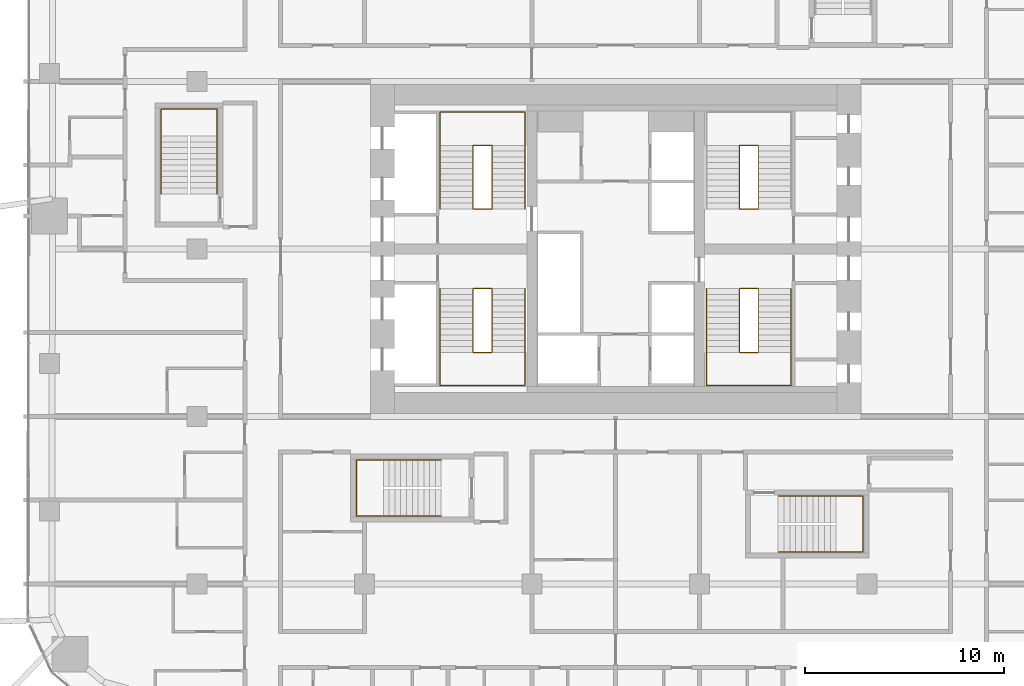
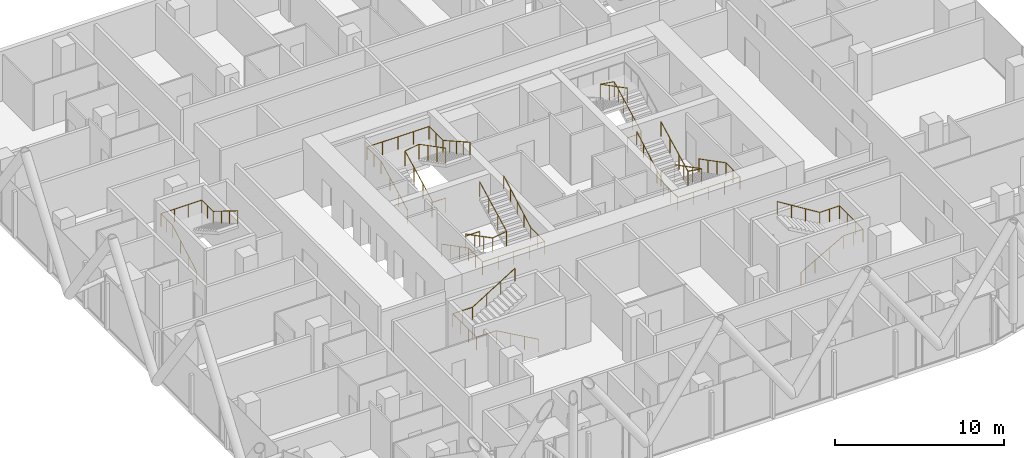
# One storey, part 37 of 38: 10 railings.
"""IFC4 building model written with IfcOpenShell, lengths in metres."""

from ifc_helpers import new_model, si_unit, direction, frame, origin, origin_2d, place, context, subcontext, project, spatial, circle, extrude, material, type_object, element, save


model = new_model("IFC4")

# Units and contexts
model_context = context("Model", 3, precision=1e-05, world=origin(), true_north=direction((0.0, 1.0)))
body_context = subcontext(model_context, "Body", "Model", "MODEL_VIEW")
ifc_project = project(units=[si_unit("LENGTHUNIT", "METRE"), si_unit("AREAUNIT", "SQUARE_METRE"), si_unit("VOLUMEUNIT", "CUBIC_METRE"), si_unit("PLANEANGLEUNIT", "RADIAN"), si_unit("MASSUNIT", "GRAM", prefix="KILO")], contexts=[model_context])

# Site, building, storey
site_placement = place(None, origin())
site = spatial("IfcSite", under=ifc_project, at=site_placement, CompositionType="ELEMENT")
building_placement = place(site_placement, origin())
building = spatial("IfcBuilding", under=site, at=building_placement, Name="Marenta Gate Hotel Tower", CompositionType="ELEMENT")
storey_placement = place(building_placement, frame((0.0, 0.0, 40.10009765625)))
storey = spatial("IfcBuildingStorey", under=building, at=storey_placement, Name="L07", CompositionType="ELEMENT", Elevation=40.10009765625)

# Railings
ifc_material_1 = material(Name="Stainless steel", Category="steel")
railing_type_1 = type_object("IfcRailingType", Name="Core stair handrail 950", PredefinedType="HANDRAIL", material=ifc_material_1)
railing_1_placement = place(storey_placement, frame((-8.800048828125, 6.39990234375, 0.14990234375)))
element("IfcRailing", 1, at=railing_1_placement, inside=storey, type_object=railing_type_1, Name="HR-950 L07-KR-ST1-1", PredefinedType="HANDRAIL", context=body_context, shape_type="SweptSolid", body=[
    extrude(circle(Radius=0.02392578125, at=origin_2d()), frame((0.0, 0.0, 0.92578125), z_axis=(0.0, -0.888225295554, 0.459408123936), x_axis=(1.0, 0.0, 0.0)), (0.0, 0.0, 1.0), 3.59130859375),
    extrude(circle(Radius=0.02392578125, at=origin_2d()), frame((0.0, -3.18994140625, 2.57568359375), z_axis=(0.0, -1.0, 0.0), x_axis=(1.0, 0.0, 0.0)), (0.0, 0.0, 1.0), 1.659912109375),
    extrude(circle(Radius=0.02392578125, at=origin_2d()), frame((0.0, -4.849853515625, 2.57568359375), z_axis=(1.0, 0.0, 0.0), x_axis=(0.0, 1.0, 0.0)), (0.0, 0.0, 1.0), 4.25),
    extrude(circle(Radius=0.02392578125, at=origin_2d()), frame((4.25, -4.849853515625, 2.57568359375), z_axis=(0.0, 1.0, 0.0), x_axis=(-1.0, 0.0, 0.0)), (0.0, 0.0, 1.0), 1.659912109375),
    extrude(circle(Radius=0.02392578125, at=origin_2d()), frame((4.25, -3.18994140625, 2.57568359375), z_axis=(0.0, 0.87090897868, 0.491444351738), x_axis=(-1.0, 0.0, 0.0)), (0.0, 0.0, 1.0), 3.662841796875),
    extrude(circle(Radius=0.02099609375, at=origin_2d()), origin(), (0.0, 0.0, 1.0), 0.90185546875),
    extrude(circle(Radius=0.02099609375, at=origin_2d()), frame((0.0, -1.063232421875, 0.550048828125)), (0.0, 0.0, 1.0), 0.90185546875),
    extrude(circle(Radius=0.02099609375, at=origin_2d()), frame((0.0, -2.126708984375, 1.099853515625)), (0.0, 0.0, 1.0), 0.90185546875),
    extrude(circle(Radius=0.02099609375, at=origin_2d()), frame((0.0, -3.18994140625, 1.64990234375)), (0.0, 0.0, 1.0), 0.90185546875),
    extrude(circle(Radius=0.02099609375, at=origin_2d()), frame((0.0, -4.02001953125, 1.64990234375)), (0.0, 0.0, 1.0), 0.90185546875),
    extrude(circle(Radius=0.02099609375, at=origin_2d()), frame((0.0, -4.849853515625, 1.64990234375)), (0.0, 0.0, 1.0), 0.90185546875),
    extrude(circle(Radius=0.02099609375, at=origin_2d()), frame((1.0625, -4.849853515625, 1.64990234375)), (0.0, 0.0, 1.0), 0.90185546875),
    extrude(circle(Radius=0.02099609375, at=origin_2d()), frame((2.125, -4.849853515625, 1.64990234375)), (0.0, 0.0, 1.0), 0.90185546875),
    extrude(circle(Radius=0.02099609375, at=origin_2d()), frame((3.1875, -4.849853515625, 1.64990234375)), (0.0, 0.0, 1.0), 0.90185546875),
    extrude(circle(Radius=0.02099609375, at=origin_2d()), frame((4.25, -4.849853515625, 1.64990234375)), (0.0, 0.0, 1.0), 0.90185546875),
    extrude(circle(Radius=0.02099609375, at=origin_2d()), frame((4.25, -4.02001953125, 1.64990234375)), (0.0, 0.0, 1.0), 0.90185546875),
    extrude(circle(Radius=0.02099609375, at=origin_2d()), frame((4.25, -3.18994140625, 1.64990234375)), (0.0, 0.0, 1.0), 0.90185546875),
    extrude(circle(Radius=0.02099609375, at=origin_2d()), frame((4.25, -2.392578125, 2.099853515625)), (0.0, 0.0, 1.0), 0.90185546875),
    extrude(circle(Radius=0.02099609375, at=origin_2d()), frame((4.25, -1.594970703125, 2.5498046875)), (0.0, 0.0, 1.0), 0.90185546875),
    extrude(circle(Radius=0.02099609375, at=origin_2d()), frame((4.25, -0.79736328125, 3.0)), (0.0, 0.0, 1.0), 0.90185546875),
    extrude(circle(Radius=0.02099609375, at=origin_2d()), frame((4.25, 0.0, 3.449951171875)), (0.0, 0.0, 1.0), 0.90185546875),
])
railing_2_placement = place(storey_placement, frame((-8.800048828125, 10.39990234375, 0.14990234375)))
element("IfcRailing", 2, at=railing_2_placement, inside=storey, type_object=railing_type_1, Name="HR-950 L07-KR-ST2-1", PredefinedType="HANDRAIL", context=body_context, shape_type="SweptSolid", body=[
    extrude(circle(Radius=0.02392578125, at=origin_2d()), frame((0.0, 0.0, 0.92578125), z_axis=(0.0, 0.888239641807, 0.459380385653), x_axis=(-1.0, 0.0, 0.0)), (0.0, 0.0, 1.0), 3.591552734375),
    extrude(circle(Radius=0.02392578125, at=origin_2d()), frame((0.0, 3.190185546875, 2.57568359375), z_axis=(0.0, 1.0, 0.0), x_axis=(-1.0, 0.0, 0.0)), (0.0, 0.0, 1.0), 1.659912109375),
    extrude(circle(Radius=0.02392578125, at=origin_2d()), frame((0.0, 4.85009765625, 2.57568359375), z_axis=(1.0, 0.0, 0.0), x_axis=(0.0, 1.0, 0.0)), (0.0, 0.0, 1.0), 4.25),
    extrude(circle(Radius=0.02392578125, at=origin_2d()), frame((4.25, 4.85009765625, 2.57568359375), z_axis=(0.0, -1.0, 0.0), x_axis=(1.0, 0.0, 0.0)), (0.0, 0.0, 1.0), 1.659912109375),
    extrude(circle(Radius=0.02392578125, at=origin_2d()), frame((4.25, 3.190185546875, 2.57568359375), z_axis=(0.0, -0.870925075533, 0.491415824742), x_axis=(1.0, 0.0, 0.0)), (0.0, 0.0, 1.0), 3.6630859375),
    extrude(circle(Radius=0.02099609375, at=origin_2d()), origin(), (0.0, 0.0, 1.0), 0.90185546875),
    extrude(circle(Radius=0.02099609375, at=origin_2d()), frame((0.0, 1.0634765625, 0.550048828125)), (0.0, 0.0, 1.0), 0.90185546875),
    extrude(circle(Radius=0.02099609375, at=origin_2d()), frame((0.0, 2.126708984375, 1.099853515625)), (0.0, 0.0, 1.0), 0.90185546875),
    extrude(circle(Radius=0.02099609375, at=origin_2d()), frame((0.0, 3.190185546875, 1.64990234375)), (0.0, 0.0, 1.0), 0.90185546875),
    extrude(circle(Radius=0.02099609375, at=origin_2d()), frame((0.0, 4.02001953125, 1.64990234375)), (0.0, 0.0, 1.0), 0.90185546875),
    extrude(circle(Radius=0.02099609375, at=origin_2d()), frame((0.0, 4.85009765625, 1.64990234375)), (0.0, 0.0, 1.0), 0.90185546875),
    extrude(circle(Radius=0.02099609375, at=origin_2d()), frame((1.0625, 4.85009765625, 1.64990234375)), (0.0, 0.0, 1.0), 0.90185546875),
    extrude(circle(Radius=0.02099609375, at=origin_2d()), frame((2.125, 4.85009765625, 1.64990234375)), (0.0, 0.0, 1.0), 0.90185546875),
    extrude(circle(Radius=0.02099609375, at=origin_2d()), frame((3.1875, 4.85009765625, 1.64990234375)), (0.0, 0.0, 1.0), 0.90185546875),
    extrude(circle(Radius=0.02099609375, at=origin_2d()), frame((4.25, 4.85009765625, 1.64990234375)), (0.0, 0.0, 1.0), 0.90185546875),
    extrude(circle(Radius=0.02099609375, at=origin_2d()), frame((4.25, 4.02001953125, 1.64990234375)), (0.0, 0.0, 1.0), 0.90185546875),
    extrude(circle(Radius=0.02099609375, at=origin_2d()), frame((4.25, 3.190185546875, 1.64990234375)), (0.0, 0.0, 1.0), 0.90185546875),
    extrude(circle(Radius=0.02099609375, at=origin_2d()), frame((4.25, 2.392578125, 2.099853515625)), (0.0, 0.0, 1.0), 0.90185546875),
    extrude(circle(Radius=0.02099609375, at=origin_2d()), frame((4.25, 1.59521484375, 2.5498046875)), (0.0, 0.0, 1.0), 0.90185546875),
    extrude(circle(Radius=0.02099609375, at=origin_2d()), frame((4.25, 0.797607421875, 3.0)), (0.0, 0.0, 1.0), 0.90185546875),
    extrude(circle(Radius=0.02099609375, at=origin_2d()), frame((4.25, 0.0, 3.449951171875)), (0.0, 0.0, 1.0), 0.90185546875),
])
railing_3_placement = place(storey_placement, frame((8.800048828125, 6.39990234375, 0.14990234375)))
element("IfcRailing", 3, at=railing_3_placement, inside=storey, type_object=railing_type_1, Name="HR-950 L07-KR-ST3-1", PredefinedType="HANDRAIL", context=body_context, shape_type="SweptSolid", body=[
    extrude(circle(Radius=0.02392578125, at=origin_2d()), frame((0.0, 0.0, 0.92578125), z_axis=(0.0, -0.888225295554, 0.459408123936), x_axis=(1.0, 0.0, 0.0)), (0.0, 0.0, 1.0), 3.59130859375),
    extrude(circle(Radius=0.02392578125, at=origin_2d()), frame((0.0, -3.18994140625, 2.57568359375), z_axis=(0.0, -1.0, 0.0), x_axis=(1.0, 0.0, 0.0)), (0.0, 0.0, 1.0), 1.659912109375),
    extrude(circle(Radius=0.02392578125, at=origin_2d()), frame((0.0, -4.849853515625, 2.57568359375), z_axis=(-1.0, 0.0, 0.0), x_axis=(0.0, -1.0, 0.0)), (0.0, 0.0, 1.0), 4.25),
    extrude(circle(Radius=0.02392578125, at=origin_2d()), frame((-4.25, -4.849853515625, 2.57568359375), z_axis=(0.0, 1.0, 0.0), x_axis=(-1.0, 0.0, 0.0)), (0.0, 0.0, 1.0), 1.659912109375),
    extrude(circle(Radius=0.02392578125, at=origin_2d()), frame((-4.25, -3.18994140625, 2.57568359375), z_axis=(0.0, 0.87090897868, 0.491444351738), x_axis=(-1.0, 0.0, 0.0)), (0.0, 0.0, 1.0), 3.662841796875),
    extrude(circle(Radius=0.02099609375, at=origin_2d()), origin(), (0.0, 0.0, 1.0), 0.90185546875),
    extrude(circle(Radius=0.02099609375, at=origin_2d()), frame((0.0, -1.063232421875, 0.550048828125)), (0.0, 0.0, 1.0), 0.90185546875),
    extrude(circle(Radius=0.02099609375, at=origin_2d()), frame((0.0, -2.126708984375, 1.099853515625)), (0.0, 0.0, 1.0), 0.90185546875),
    extrude(circle(Radius=0.02099609375, at=origin_2d()), frame((0.0, -3.18994140625, 1.64990234375)), (0.0, 0.0, 1.0), 0.90185546875),
    extrude(circle(Radius=0.02099609375, at=origin_2d()), frame((0.0, -4.02001953125, 1.64990234375)), (0.0, 0.0, 1.0), 0.90185546875),
    extrude(circle(Radius=0.02099609375, at=origin_2d()), frame((0.0, -4.849853515625, 1.64990234375)), (0.0, 0.0, 1.0), 0.90185546875),
    extrude(circle(Radius=0.02099609375, at=origin_2d()), frame((-1.0625, -4.849853515625, 1.64990234375)), (0.0, 0.0, 1.0), 0.90185546875),
    extrude(circle(Radius=0.02099609375, at=origin_2d()), frame((-2.125, -4.849853515625, 1.64990234375)), (0.0, 0.0, 1.0), 0.90185546875),
    extrude(circle(Radius=0.02099609375, at=origin_2d()), frame((-3.1875, -4.849853515625, 1.64990234375)), (0.0, 0.0, 1.0), 0.90185546875),
    extrude(circle(Radius=0.02099609375, at=origin_2d()), frame((-4.25, -4.849853515625, 1.64990234375)), (0.0, 0.0, 1.0), 0.90185546875),
    extrude(circle(Radius=0.02099609375, at=origin_2d()), frame((-4.25, -4.02001953125, 1.64990234375)), (0.0, 0.0, 1.0), 0.90185546875),
    extrude(circle(Radius=0.02099609375, at=origin_2d()), frame((-4.25, -3.18994140625, 1.64990234375)), (0.0, 0.0, 1.0), 0.90185546875),
    extrude(circle(Radius=0.02099609375, at=origin_2d()), frame((-4.25, -2.392578125, 2.099853515625)), (0.0, 0.0, 1.0), 0.90185546875),
    extrude(circle(Radius=0.02099609375, at=origin_2d()), frame((-4.25, -1.594970703125, 2.5498046875)), (0.0, 0.0, 1.0), 0.90185546875),
    extrude(circle(Radius=0.02099609375, at=origin_2d()), frame((-4.25, -0.79736328125, 3.0)), (0.0, 0.0, 1.0), 0.90185546875),
    extrude(circle(Radius=0.02099609375, at=origin_2d()), frame((-4.25, 0.0, 3.449951171875)), (0.0, 0.0, 1.0), 0.90185546875),
])
railing_4_placement = place(storey_placement, frame((8.14990234375, -6.800048828125, 0.16357421875)))
element("IfcRailing", 4, at=railing_4_placement, inside=storey, type_object=railing_type_1, Name="HR-950 L07-RS-Z1-1-KR-1", PredefinedType="HANDRAIL", context=body_context, shape_type="SweptSolid", body=[
    extrude(circle(Radius=0.02392578125, at=origin_2d()), frame((0.0, 0.0, 0.92578125), z_axis=(0.870946286338, 0.0, 0.49137823142), x_axis=(0.0, 1.0, 0.0)), (0.0, 0.0, 1.0), 3.329833984375),
    extrude(circle(Radius=0.02392578125, at=origin_2d()), frame((2.900146484375, 0.0, 2.56201171875), z_axis=(1.0, 0.0, 0.0), x_axis=(0.0, 1.0, 0.0)), (0.0, 0.0, 1.0), 1.349853515625),
    extrude(circle(Radius=0.02392578125, at=origin_2d()), frame((4.25, 0.0, 2.56201171875), z_axis=(0.0, 1.0, 0.0), x_axis=(-1.0, 0.0, 0.0)), (0.0, 0.0, 1.0), 2.800048828125),
    extrude(circle(Radius=0.02392578125, at=origin_2d()), frame((4.25, 2.800048828125, 2.56201171875), z_axis=(-1.0, 0.0, 0.0), x_axis=(0.0, -1.0, 0.0)), (0.0, 0.0, 1.0), 1.349853515625),
    extrude(circle(Radius=0.02392578125, at=origin_2d()), frame((2.900146484375, 2.800048828125, 2.56201171875), z_axis=(-0.849645691689, 0.0, 0.527353959494), x_axis=(0.0, -1.0, 0.0)), (0.0, 0.0, 1.0), 3.413330078125),
    extrude(circle(Radius=0.02099609375, at=origin_2d()), origin(), (0.0, 0.0, 1.0), 0.90185546875),
    extrude(circle(Radius=0.02099609375, at=origin_2d()), frame((0.966796875, 0.0, 0.54541015625)), (0.0, 0.0, 1.0), 0.90185546875),
    extrude(circle(Radius=0.02099609375, at=origin_2d()), frame((1.933349609375, 0.0, 1.0908203125)), (0.0, 0.0, 1.0), 0.90185546875),
    extrude(circle(Radius=0.02099609375, at=origin_2d()), frame((2.900146484375, 0.0, 1.63623046875)), (0.0, 0.0, 1.0), 0.90185546875),
    extrude(circle(Radius=0.02099609375, at=origin_2d()), frame((3.5751953125, 0.0, 1.63623046875)), (0.0, 0.0, 1.0), 0.90185546875),
    extrude(circle(Radius=0.02099609375, at=origin_2d()), frame((4.25, 0.0, 1.63623046875)), (0.0, 0.0, 1.0), 0.90185546875),
    extrude(circle(Radius=0.02099609375, at=origin_2d()), frame((4.25, 0.933349609375, 1.63623046875)), (0.0, 0.0, 1.0), 0.90185546875),
    extrude(circle(Radius=0.02099609375, at=origin_2d()), frame((4.25, 1.86669921875, 1.63623046875)), (0.0, 0.0, 1.0), 0.90185546875),
    extrude(circle(Radius=0.02099609375, at=origin_2d()), frame((4.25, 2.800048828125, 1.63623046875)), (0.0, 0.0, 1.0), 0.90185546875),
    extrude(circle(Radius=0.02099609375, at=origin_2d()), frame((3.5751953125, 2.800048828125, 1.63623046875)), (0.0, 0.0, 1.0), 0.90185546875),
    extrude(circle(Radius=0.02099609375, at=origin_2d()), frame((2.900146484375, 2.800048828125, 1.63623046875)), (0.0, 0.0, 1.0), 0.90185546875),
    extrude(circle(Radius=0.02099609375, at=origin_2d()), frame((1.933349609375, 2.800048828125, 2.236328125)), (0.0, 0.0, 1.0), 0.90185546875),
    extrude(circle(Radius=0.02099609375, at=origin_2d()), frame((0.966796875, 2.800048828125, 2.836181640625)), (0.0, 0.0, 1.0), 0.90185546875),
    extrude(circle(Radius=0.02099609375, at=origin_2d()), frame((0.0, 2.800048828125, 3.436279296875)), (0.0, 0.0, 1.0), 0.90185546875),
])
railing_5_placement = place(storey_placement, frame((-8.75, -5.0, 0.16357421875)))
element("IfcRailing", 5, at=railing_5_placement, inside=storey, type_object=railing_type_1, Name="HR-950 L07-RS-Z1-2-KR-1", PredefinedType="HANDRAIL", context=body_context, shape_type="SweptSolid", body=[
    extrude(circle(Radius=0.02392578125, at=origin_2d()), frame((0.0, 0.0, 0.92578125), z_axis=(-0.870928581787, 0.0, 0.491409610636), x_axis=(0.0, -1.0, 0.0)), (0.0, 0.0, 1.0), 3.32958984375),
    extrude(circle(Radius=0.02392578125, at=origin_2d()), frame((-2.89990234375, 0.0, 2.56201171875), z_axis=(-1.0, 0.0, 0.0), x_axis=(0.0, -1.0, 0.0)), (0.0, 0.0, 1.0), 1.35009765625),
    extrude(circle(Radius=0.02392578125, at=origin_2d()), frame((-4.25, 0.0, 2.56201171875), z_axis=(0.0, 1.0, 0.0), x_axis=(-1.0, 0.0, 0.0)), (0.0, 0.0, 1.0), 2.800048828125),
    extrude(circle(Radius=0.02392578125, at=origin_2d()), frame((-4.25, 2.800048828125, 2.56201171875), z_axis=(1.0, 0.0, 0.0), x_axis=(0.0, 1.0, 0.0)), (0.0, 0.0, 1.0), 1.35009765625),
    extrude(circle(Radius=0.02392578125, at=origin_2d()), frame((-2.89990234375, 2.800048828125, 2.56201171875), z_axis=(0.849625798611, 0.0, 0.527386008853), x_axis=(0.0, 1.0, 0.0)), (0.0, 0.0, 1.0), 3.4130859375),
    extrude(circle(Radius=0.02099609375, at=origin_2d()), origin(), (0.0, 0.0, 1.0), 0.90185546875),
    extrude(circle(Radius=0.02099609375, at=origin_2d()), frame((-0.966552734375, 0.0, 0.54541015625)), (0.0, 0.0, 1.0), 0.90185546875),
    extrude(circle(Radius=0.02099609375, at=origin_2d()), frame((-1.933349609375, 0.0, 1.0908203125)), (0.0, 0.0, 1.0), 0.90185546875),
    extrude(circle(Radius=0.02099609375, at=origin_2d()), frame((-2.89990234375, 0.0, 1.63623046875)), (0.0, 0.0, 1.0), 0.90185546875),
    extrude(circle(Radius=0.02099609375, at=origin_2d()), frame((-3.574951171875, 0.0, 1.63623046875)), (0.0, 0.0, 1.0), 0.90185546875),
    extrude(circle(Radius=0.02099609375, at=origin_2d()), frame((-4.25, 0.0, 1.63623046875)), (0.0, 0.0, 1.0), 0.90185546875),
    extrude(circle(Radius=0.02099609375, at=origin_2d()), frame((-4.25, 0.933349609375, 1.63623046875)), (0.0, 0.0, 1.0), 0.90185546875),
    extrude(circle(Radius=0.02099609375, at=origin_2d()), frame((-4.25, 1.86669921875, 1.63623046875)), (0.0, 0.0, 1.0), 0.90185546875),
    extrude(circle(Radius=0.02099609375, at=origin_2d()), frame((-4.25, 2.800048828125, 1.63623046875)), (0.0, 0.0, 1.0), 0.90185546875),
    extrude(circle(Radius=0.02099609375, at=origin_2d()), frame((-3.574951171875, 2.800048828125, 1.63623046875)), (0.0, 0.0, 1.0), 0.90185546875),
    extrude(circle(Radius=0.02099609375, at=origin_2d()), frame((-2.89990234375, 2.800048828125, 1.63623046875)), (0.0, 0.0, 1.0), 0.90185546875),
    extrude(circle(Radius=0.02099609375, at=origin_2d()), frame((-1.933349609375, 2.800048828125, 2.236328125)), (0.0, 0.0, 1.0), 0.90185546875),
    extrude(circle(Radius=0.02099609375, at=origin_2d()), frame((-0.966552734375, 2.800048828125, 2.836181640625)), (0.0, 0.0, 1.0), 0.90185546875),
    extrude(circle(Radius=0.02099609375, at=origin_2d()), frame((0.0, 2.800048828125, 3.436279296875)), (0.0, 0.0, 1.0), 0.90185546875),
])
railing_6_placement = place(storey_placement, frame((-22.800048828125, 11.14990234375, 0.16357421875)))
element("IfcRailing", 6, at=railing_6_placement, inside=storey, type_object=railing_type_1, Name="HR-950 L07-RS-Z1-3-KR-1", PredefinedType="HANDRAIL", context=body_context, shape_type="SweptSolid", body=[
    extrude(circle(Radius=0.02392578125, at=origin_2d()), frame((0.0, 0.0, 0.92578125), z_axis=(0.0, 0.870946286338, 0.49137823142), x_axis=(-1.0, 0.0, 0.0)), (0.0, 0.0, 1.0), 3.329833984375),
    extrude(circle(Radius=0.02392578125, at=origin_2d()), frame((0.0, 2.900146484375, 2.56201171875), z_axis=(0.0, 1.0, 0.0), x_axis=(-1.0, 0.0, 0.0)), (0.0, 0.0, 1.0), 1.349853515625),
    extrude(circle(Radius=0.02392578125, at=origin_2d()), frame((0.0, 4.25, 2.56201171875), z_axis=(1.0, 0.0, 0.0), x_axis=(0.0, 1.0, 0.0)), (0.0, 0.0, 1.0), 2.800048828125),
    extrude(circle(Radius=0.02392578125, at=origin_2d()), frame((2.800048828125, 4.25, 2.56201171875), z_axis=(0.0, -1.0, 0.0), x_axis=(1.0, 0.0, 0.0)), (0.0, 0.0, 1.0), 1.349853515625),
    extrude(circle(Radius=0.02392578125, at=origin_2d()), frame((2.800048828125, 2.900146484375, 2.56201171875), z_axis=(0.0, -0.849645691689, 0.527353959494), x_axis=(1.0, 0.0, 0.0)), (0.0, 0.0, 1.0), 3.413330078125),
    extrude(circle(Radius=0.02099609375, at=origin_2d()), origin(), (0.0, 0.0, 1.0), 0.90185546875),
    extrude(circle(Radius=0.02099609375, at=origin_2d()), frame((0.0, 0.966796875, 0.54541015625)), (0.0, 0.0, 1.0), 0.90185546875),
    extrude(circle(Radius=0.02099609375, at=origin_2d()), frame((0.0, 1.933349609375, 1.0908203125)), (0.0, 0.0, 1.0), 0.90185546875),
    extrude(circle(Radius=0.02099609375, at=origin_2d()), frame((0.0, 2.900146484375, 1.63623046875)), (0.0, 0.0, 1.0), 0.90185546875),
    extrude(circle(Radius=0.02099609375, at=origin_2d()), frame((0.0, 3.5751953125, 1.63623046875)), (0.0, 0.0, 1.0), 0.90185546875),
    extrude(circle(Radius=0.02099609375, at=origin_2d()), frame((0.0, 4.25, 1.63623046875)), (0.0, 0.0, 1.0), 0.90185546875),
    extrude(circle(Radius=0.02099609375, at=origin_2d()), frame((0.933349609375, 4.25, 1.63623046875)), (0.0, 0.0, 1.0), 0.90185546875),
    extrude(circle(Radius=0.02099609375, at=origin_2d()), frame((1.86669921875, 4.25, 1.63623046875)), (0.0, 0.0, 1.0), 0.90185546875),
    extrude(circle(Radius=0.02099609375, at=origin_2d()), frame((2.800048828125, 4.25, 1.63623046875)), (0.0, 0.0, 1.0), 0.90185546875),
    extrude(circle(Radius=0.02099609375, at=origin_2d()), frame((2.800048828125, 3.5751953125, 1.63623046875)), (0.0, 0.0, 1.0), 0.90185546875),
    extrude(circle(Radius=0.02099609375, at=origin_2d()), frame((2.800048828125, 2.900146484375, 1.63623046875)), (0.0, 0.0, 1.0), 0.90185546875),
    extrude(circle(Radius=0.02099609375, at=origin_2d()), frame((2.800048828125, 1.933349609375, 2.236328125)), (0.0, 0.0, 1.0), 0.90185546875),
    extrude(circle(Radius=0.02099609375, at=origin_2d()), frame((2.800048828125, 0.966796875, 2.836181640625)), (0.0, 0.0, 1.0), 0.90185546875),
    extrude(circle(Radius=0.02099609375, at=origin_2d()), frame((2.800048828125, 0.0, 3.436279296875)), (0.0, 0.0, 1.0), 0.90185546875),
])
ifc_material_2 = material(Name="Stainless steel", Category="steel")
railing_type_2 = type_object("IfcRailingType", Name="Core stair well guard 1100", PredefinedType="GUARDRAIL", material=ifc_material_2)
railing_7_placement = place(storey_placement, frame((-6.199951171875, 6.39990234375, 0.0)))
element("IfcRailing", 7, at=railing_7_placement, inside=storey, type_object=railing_type_2, Name="GR-1100 L07-KR-ST1-2", PredefinedType="GUARDRAIL", context=body_context, shape_type="SweptSolid", body=[
    extrude(circle(Radius=0.02392578125, at=origin_2d()), frame((0.0, 0.0, 1.076171875), z_axis=(-1.0, 0.0, 0.0), x_axis=(0.0, -1.0, 0.0)), (0.0, 0.0, 1.0), 0.949951171875),
    extrude(circle(Radius=0.02392578125, at=origin_2d()), frame((-0.949951171875, 0.0, 1.076171875), z_axis=(0.0, 0.0, 1.0), x_axis=(1.0, 0.0, 0.0)), (0.0, 0.0, 1.0), 0.14990234375),
    extrude(circle(Radius=0.02392578125, at=origin_2d()), frame((-0.949951171875, 0.0, 1.22607421875), z_axis=(0.0, -0.888225295554, 0.459408123936), x_axis=(1.0, 0.0, 0.0)), (0.0, 0.0, 1.0), 3.59130859375),
    extrude(circle(Radius=0.02392578125, at=origin_2d()), frame((-0.949951171875, -3.18994140625, 2.8759765625), z_axis=(0.987738253826, 0.0, 0.156118999255), x_axis=(0.0, 1.0, 0.0)), (0.0, 0.0, 1.0), 0.961669921875),
    extrude(circle(Radius=0.02392578125, at=origin_2d()), frame((0.0, -3.18994140625, 3.02587890625), z_axis=(0.0, 0.888225295554, 0.459408123936), x_axis=(-1.0, 0.0, 0.0)), (0.0, 0.0, 1.0), 3.59130859375),
    extrude(circle(Radius=0.02099609375, at=origin_2d()), origin(), (0.0, 0.0, 1.0), 1.052001953125),
    extrude(circle(Radius=0.02099609375, at=origin_2d()), frame((-0.949951171875, 0.0, 0.0)), (0.0, 0.0, 1.0), 1.052001953125),
    extrude(circle(Radius=0.02099609375, at=origin_2d()), frame((-0.949951171875, 0.0, 0.14990234375)), (0.0, 0.0, 1.0), 1.052001953125),
    extrude(circle(Radius=0.02099609375, at=origin_2d()), frame((-0.949951171875, -1.063232421875, 0.699951171875)), (0.0, 0.0, 1.0), 1.052001953125),
    extrude(circle(Radius=0.02099609375, at=origin_2d()), frame((-0.949951171875, -2.126708984375, 1.249755859375)), (0.0, 0.0, 1.0), 1.052001953125),
    extrude(circle(Radius=0.02099609375, at=origin_2d()), frame((-0.949951171875, -3.18994140625, 1.7998046875)), (0.0, 0.0, 1.0), 1.052001953125),
    extrude(circle(Radius=0.02099609375, at=origin_2d()), frame((0.0, -3.18994140625, 1.949951171875)), (0.0, 0.0, 1.0), 1.052001953125),
    extrude(circle(Radius=0.02099609375, at=origin_2d()), frame((0.0, -2.126708984375, 2.5)), (0.0, 0.0, 1.0), 1.052001953125),
    extrude(circle(Radius=0.02099609375, at=origin_2d()), frame((0.0, -1.063232421875, 3.0498046875)), (0.0, 0.0, 1.0), 1.052001953125),
    extrude(circle(Radius=0.02099609375, at=origin_2d()), frame((0.0, 0.0, 3.599853515625)), (0.0, 0.0, 1.0), 1.052001953125),
])
railing_8_placement = place(storey_placement, frame((-6.199951171875, 10.39990234375, 0.0)))
element("IfcRailing", 8, at=railing_8_placement, inside=storey, type_object=railing_type_2, Name="GR-1100 L07-KR-ST2-2", PredefinedType="GUARDRAIL", context=body_context, shape_type="SweptSolid", body=[
    extrude(circle(Radius=0.02392578125, at=origin_2d()), frame((0.0, 0.0, 1.076171875), z_axis=(-1.0, 0.0, 0.0), x_axis=(0.0, -1.0, 0.0)), (0.0, 0.0, 1.0), 0.949951171875),
    extrude(circle(Radius=0.02392578125, at=origin_2d()), frame((-0.949951171875, 0.0, 1.076171875), z_axis=(0.0, 0.0, 1.0), x_axis=(1.0, 0.0, 0.0)), (0.0, 0.0, 1.0), 0.14990234375),
    extrude(circle(Radius=0.02392578125, at=origin_2d()), frame((-0.949951171875, 0.0, 1.22607421875), z_axis=(0.0, 0.888239641807, 0.459380385653), x_axis=(-1.0, 0.0, 0.0)), (0.0, 0.0, 1.0), 3.591552734375),
    extrude(circle(Radius=0.02392578125, at=origin_2d()), frame((-0.949951171875, 3.190185546875, 2.8759765625), z_axis=(0.987738253826, 0.0, 0.156118999255), x_axis=(0.0, 1.0, 0.0)), (0.0, 0.0, 1.0), 0.961669921875),
    extrude(circle(Radius=0.02392578125, at=origin_2d()), frame((0.0, 3.190185546875, 3.02587890625), z_axis=(0.0, -0.888239641807, 0.459380385653), x_axis=(1.0, 0.0, 0.0)), (0.0, 0.0, 1.0), 3.591552734375),
    extrude(circle(Radius=0.02099609375, at=origin_2d()), origin(), (0.0, 0.0, 1.0), 1.052001953125),
    extrude(circle(Radius=0.02099609375, at=origin_2d()), frame((-0.949951171875, 0.0, 0.0)), (0.0, 0.0, 1.0), 1.052001953125),
    extrude(circle(Radius=0.02099609375, at=origin_2d()), frame((-0.949951171875, 0.0, 0.14990234375)), (0.0, 0.0, 1.0), 1.052001953125),
    extrude(circle(Radius=0.02099609375, at=origin_2d()), frame((-0.949951171875, 1.0634765625, 0.699951171875)), (0.0, 0.0, 1.0), 1.052001953125),
    extrude(circle(Radius=0.02099609375, at=origin_2d()), frame((-0.949951171875, 2.126708984375, 1.249755859375)), (0.0, 0.0, 1.0), 1.052001953125),
    extrude(circle(Radius=0.02099609375, at=origin_2d()), frame((-0.949951171875, 3.190185546875, 1.7998046875)), (0.0, 0.0, 1.0), 1.052001953125),
    extrude(circle(Radius=0.02099609375, at=origin_2d()), frame((0.0, 3.190185546875, 1.949951171875)), (0.0, 0.0, 1.0), 1.052001953125),
    extrude(circle(Radius=0.02099609375, at=origin_2d()), frame((0.0, 2.126708984375, 2.5)), (0.0, 0.0, 1.0), 1.052001953125),
    extrude(circle(Radius=0.02099609375, at=origin_2d()), frame((0.0, 1.0634765625, 3.0498046875)), (0.0, 0.0, 1.0), 1.052001953125),
    extrude(circle(Radius=0.02099609375, at=origin_2d()), frame((0.0, 0.0, 3.599853515625)), (0.0, 0.0, 1.0), 1.052001953125),
])
railing_9_placement = place(storey_placement, frame((6.199951171875, 6.39990234375, 0.0)))
element("IfcRailing", 9, at=railing_9_placement, inside=storey, type_object=railing_type_2, Name="GR-1100 L07-KR-ST3-2", PredefinedType="GUARDRAIL", context=body_context, shape_type="SweptSolid", body=[
    extrude(circle(Radius=0.02392578125, at=origin_2d()), frame((0.0, 0.0, 1.076171875), z_axis=(1.0, 0.0, 0.0), x_axis=(0.0, 1.0, 0.0)), (0.0, 0.0, 1.0), 0.949951171875),
    extrude(circle(Radius=0.02392578125, at=origin_2d()), frame((0.949951171875, 0.0, 1.076171875), z_axis=(0.0, 0.0, 1.0), x_axis=(1.0, 0.0, 0.0)), (0.0, 0.0, 1.0), 0.14990234375),
    extrude(circle(Radius=0.02392578125, at=origin_2d()), frame((0.949951171875, 0.0, 1.22607421875), z_axis=(0.0, -0.888225295554, 0.459408123936), x_axis=(1.0, 0.0, 0.0)), (0.0, 0.0, 1.0), 3.59130859375),
    extrude(circle(Radius=0.02392578125, at=origin_2d()), frame((0.949951171875, -3.18994140625, 2.8759765625), z_axis=(-0.987738253826, 0.0, 0.156118999255), x_axis=(0.0, -1.0, 0.0)), (0.0, 0.0, 1.0), 0.961669921875),
    extrude(circle(Radius=0.02392578125, at=origin_2d()), frame((0.0, -3.18994140625, 3.02587890625), z_axis=(0.0, 0.888225295554, 0.459408123936), x_axis=(-1.0, 0.0, 0.0)), (0.0, 0.0, 1.0), 3.59130859375),
    extrude(circle(Radius=0.02099609375, at=origin_2d()), origin(), (0.0, 0.0, 1.0), 1.052001953125),
    extrude(circle(Radius=0.02099609375, at=origin_2d()), frame((0.949951171875, 0.0, 0.0)), (0.0, 0.0, 1.0), 1.052001953125),
    extrude(circle(Radius=0.02099609375, at=origin_2d()), frame((0.949951171875, 0.0, 0.14990234375)), (0.0, 0.0, 1.0), 1.052001953125),
    extrude(circle(Radius=0.02099609375, at=origin_2d()), frame((0.949951171875, -1.063232421875, 0.699951171875)), (0.0, 0.0, 1.0), 1.052001953125),
    extrude(circle(Radius=0.02099609375, at=origin_2d()), frame((0.949951171875, -2.126708984375, 1.249755859375)), (0.0, 0.0, 1.0), 1.052001953125),
    extrude(circle(Radius=0.02099609375, at=origin_2d()), frame((0.949951171875, -3.18994140625, 1.7998046875)), (0.0, 0.0, 1.0), 1.052001953125),
    extrude(circle(Radius=0.02099609375, at=origin_2d()), frame((0.0, -3.18994140625, 1.949951171875)), (0.0, 0.0, 1.0), 1.052001953125),
    extrude(circle(Radius=0.02099609375, at=origin_2d()), frame((0.0, -2.126708984375, 2.5)), (0.0, 0.0, 1.0), 1.052001953125),
    extrude(circle(Radius=0.02099609375, at=origin_2d()), frame((0.0, -1.063232421875, 3.0498046875)), (0.0, 0.0, 1.0), 1.052001953125),
    extrude(circle(Radius=0.02099609375, at=origin_2d()), frame((0.0, 0.0, 3.599853515625)), (0.0, 0.0, 1.0), 1.052001953125),
])
railing_10_placement = place(storey_placement, frame((6.199951171875, 10.39990234375, 0.0)))
element("IfcRailing", 10, at=railing_10_placement, inside=storey, type_object=railing_type_2, Name="GR-1100 L07-KR-ST4-2", PredefinedType="GUARDRAIL", context=body_context, shape_type="SweptSolid", body=[
    extrude(circle(Radius=0.02392578125, at=origin_2d()), frame((0.0, 0.0, 1.076171875), z_axis=(1.0, 0.0, 0.0), x_axis=(0.0, 1.0, 0.0)), (0.0, 0.0, 1.0), 0.949951171875),
    extrude(circle(Radius=0.02392578125, at=origin_2d()), frame((0.949951171875, 0.0, 1.076171875), z_axis=(0.0, 0.0, 1.0), x_axis=(1.0, 0.0, 0.0)), (0.0, 0.0, 1.0), 0.14990234375),
    extrude(circle(Radius=0.02392578125, at=origin_2d()), frame((0.949951171875, 0.0, 1.22607421875), z_axis=(0.0, 0.888239641807, 0.459380385653), x_axis=(-1.0, 0.0, 0.0)), (0.0, 0.0, 1.0), 3.591552734375),
    extrude(circle(Radius=0.02392578125, at=origin_2d()), frame((0.949951171875, 3.190185546875, 2.8759765625), z_axis=(-0.987738253826, 0.0, 0.156118999255), x_axis=(0.0, -1.0, 0.0)), (0.0, 0.0, 1.0), 0.961669921875),
    extrude(circle(Radius=0.02392578125, at=origin_2d()), frame((0.0, 3.190185546875, 3.02587890625), z_axis=(0.0, -0.888239641807, 0.459380385653), x_axis=(1.0, 0.0, 0.0)), (0.0, 0.0, 1.0), 3.591552734375),
    extrude(circle(Radius=0.02099609375, at=origin_2d()), origin(), (0.0, 0.0, 1.0), 1.052001953125),
    extrude(circle(Radius=0.02099609375, at=origin_2d()), frame((0.949951171875, 0.0, 0.0)), (0.0, 0.0, 1.0), 1.052001953125),
    extrude(circle(Radius=0.02099609375, at=origin_2d()), frame((0.949951171875, 0.0, 0.14990234375)), (0.0, 0.0, 1.0), 1.052001953125),
    extrude(circle(Radius=0.02099609375, at=origin_2d()), frame((0.949951171875, 1.0634765625, 0.699951171875)), (0.0, 0.0, 1.0), 1.052001953125),
    extrude(circle(Radius=0.02099609375, at=origin_2d()), frame((0.949951171875, 2.126708984375, 1.249755859375)), (0.0, 0.0, 1.0), 1.052001953125),
    extrude(circle(Radius=0.02099609375, at=origin_2d()), frame((0.949951171875, 3.190185546875, 1.7998046875)), (0.0, 0.0, 1.0), 1.052001953125),
    extrude(circle(Radius=0.02099609375, at=origin_2d()), frame((0.0, 3.190185546875, 1.949951171875)), (0.0, 0.0, 1.0), 1.052001953125),
    extrude(circle(Radius=0.02099609375, at=origin_2d()), frame((0.0, 2.126708984375, 2.5)), (0.0, 0.0, 1.0), 1.052001953125),
    extrude(circle(Radius=0.02099609375, at=origin_2d()), frame((0.0, 1.0634765625, 3.0498046875)), (0.0, 0.0, 1.0), 1.052001953125),
    extrude(circle(Radius=0.02099609375, at=origin_2d()), frame((0.0, 0.0, 3.599853515625)), (0.0, 0.0, 1.0), 1.052001953125),
])

save(model, "model.ifc")
